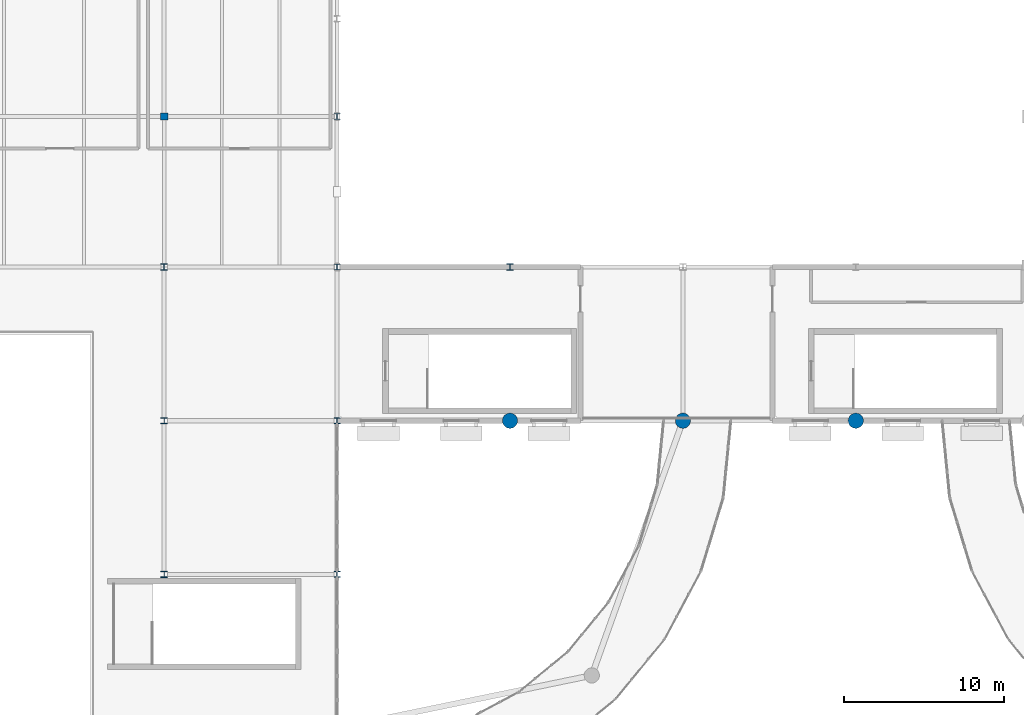
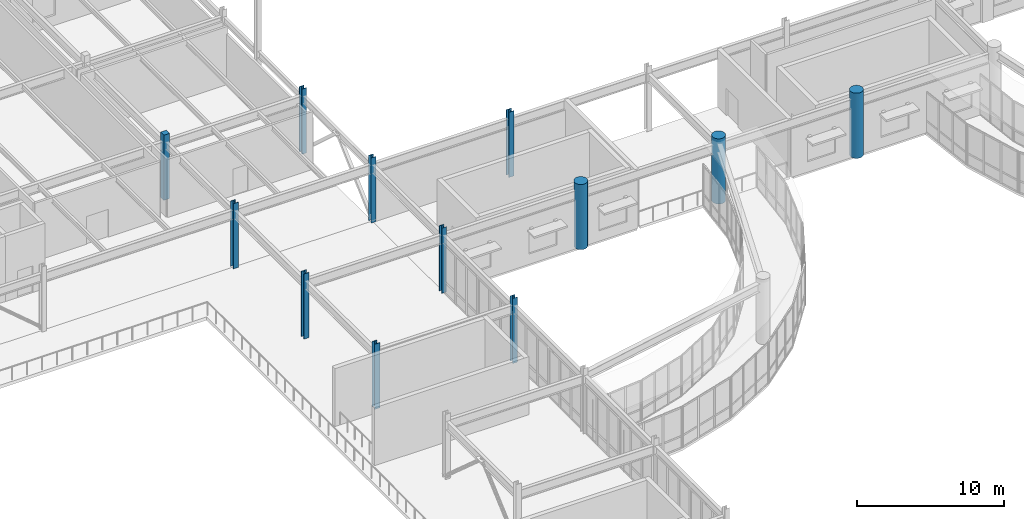
# One storey, part 6 of 68: 12 columns.
"""IFC4 building model written with IfcOpenShell, lengths in metres."""

from ifc_helpers import new_model, si_unit, direction, frame, origin, origin_2d, place, context, subcontext, project, spatial, rectangle, circle, i_section, extrude, material, material_profile, profile_set, type_object, element, save


model = new_model("IFC4")

# Units and contexts
model_context = context("Model", 3, precision=1e-05, world=origin(), true_north=direction((0.0, 1.0)))
body_context = subcontext(model_context, "Body", "Model", "MODEL_VIEW")
ifc_project = project(units=[si_unit("LENGTHUNIT", "METRE"), si_unit("AREAUNIT", "SQUARE_METRE"), si_unit("VOLUMEUNIT", "CUBIC_METRE"), si_unit("PLANEANGLEUNIT", "RADIAN"), si_unit("MASSUNIT", "GRAM", prefix="KILO")], contexts=[model_context])

# Site, building, storey
site_placement = place(None, origin())
site = spatial("IfcSite", under=ifc_project, at=site_placement, CompositionType="ELEMENT")
building_placement = place(site_placement, origin())
building = spatial("IfcBuilding", under=site, at=building_placement, Name="Veldera Park Congress Hotel", CompositionType="ELEMENT")
storey_placement = place(building_placement, frame((0.0, 0.0, 10.800048828125)))
storey = spatial("IfcBuildingStorey", under=building, at=storey_placement, Name="L02", CompositionType="ELEMENT", Elevation=10.800048828125)

# Columns
ifc_material_1 = material(Name="Glulam GL28h (NDS 24F-V4)", Category="wood")
ifc_material_profile_1 = material_profile(ifc_material_1, rectangle(XDim=0.449951171875, YDim=0.449951171875, at=origin_2d()), Name="GL28h 450x450")
ifc_profile_set_1 = profile_set([ifc_material_profile_1], Name="Glulam GL28h (NDS 24F-V4)")
column_type_1 = type_object("IfcColumnType", Name="COL-GL42E", PredefinedType="COLUMN", material=ifc_profile_set_1)
column_1_placement = place(storey_placement, frame((-12.39990234375, 36.39990234375, 0.0), z_axis=(0.0, 0.0, 1.0), x_axis=(1.0, 0.0, 0.0)))
element("IfcColumn", 1, at=column_1_placement, inside=storey, type_object=column_type_1, Name="L02 Column COL-GL42E (-12.4,36.4)", PredefinedType="COLUMN", context=body_context, shape_type="SweptSolid", body=[
    extrude(rectangle(XDim=0.449951171875, YDim=0.449951171875, at=origin_2d()), origin(), (0.0, 0.0, 1.0), 5.39990234375),
])
ifc_material_2 = material(Name="Concrete f'c 50 MPa (7,250 psi)", Category="concrete")
ifc_material_profile_2 = material_profile(ifc_material_2, circle(Radius=0.47509765625, at=origin_2d()), Name="RC D950")
ifc_profile_set_2 = profile_set([ifc_material_profile_2], Name="Concrete f'c 50 MPa (7,250 psi)")
column_type_2 = type_object("IfcColumnType", Name="COL-RCD90E", PredefinedType="COLUMN", material=ifc_profile_set_2)
for number, where, z_axis, x_axis, name in (
    (2, (9.199951171875, 17.39990234375, 0.0), (0.0, 0.0, 1.0), (1.0, 0.0, 0.0), "L02 Column COL-RCD90E (9.2,17.4)"),
    (3, (20.0, 17.39990234375, 0.0), (0.0, 0.0, 1.0), (1.0, 0.0, 0.0), "L02 Column COL-RCD90E (20.0,17.4)"),
    (4, (30.800048828125, 17.39990234375, 0.0), (0.0, 0.0, 1.0), (1.0, 0.0, 0.0), "L02 Column COL-RCD90E (30.8,17.4)"),
):
    element("IfcColumn", number, at=place(storey_placement, frame(where, z_axis=z_axis, x_axis=x_axis)), inside=storey, type_object=column_type_2, Name=name, PredefinedType="COLUMN", context=body_context, shape_type="SweptSolid", body=[
        extrude(circle(Radius=0.47509765625, at=origin_2d()), origin(), (0.0, 0.0, 1.0), 5.39990234375),
    ])
ifc_material_3 = material(Name="Steel ASTM A992 Gr.50", Category="steel")
ifc_material_profile_3 = material_profile(ifc_material_3, i_section(OverallWidth=0.373046875, OverallDepth=0.367919921875, WebThickness=0.014892578125, FlangeThickness=0.02392578125, at=origin_2d()), Name="W14X120")
ifc_profile_set_3 = profile_set([ifc_material_profile_3], Name="Steel ASTM A992 Gr.50")
column_type_3 = type_object("IfcColumnType", Name="COL-STL120", PredefinedType="COLUMN", material=ifc_profile_set_3)
for number, where, z_axis, x_axis, name in (
    (5, (-1.60009765625, 7.800048828125, 0.0), (0.0, 0.0, 1.0), (1.0, 0.0, 0.0), "L02 Column COL-STL120 (-1.6,7.8)"),
    (6, (-1.60009765625, 17.39990234375, 0.0), (0.0, 0.0, 1.0), (1.0, 0.0, 0.0), "L02 Column COL-STL120 (-1.6,17.4)"),
):
    element("IfcColumn", number, at=place(storey_placement, frame(where, z_axis=z_axis, x_axis=x_axis)), inside=storey, type_object=column_type_3, Name=name, PredefinedType="COLUMN", context=body_context, shape_type="SweptSolid", body=[
        extrude(i_section(OverallWidth=0.373046875, OverallDepth=0.367919921875, WebThickness=0.014892578125, FlangeThickness=0.02392578125, at=origin_2d()), origin(), (0.0, 0.0, 1.0), 5.39990234375),
    ])
ifc_material_profile_4 = material_profile(ifc_material_3, i_section(OverallWidth=0.373046875, OverallDepth=0.367919921875, WebThickness=0.014892578125, FlangeThickness=0.02392578125, at=origin_2d()), Name="W14X120")
ifc_profile_set_4 = profile_set([ifc_material_profile_4], Name="Steel ASTM A992 Gr.50")
column_type_4 = type_object("IfcColumnType", Name="COL-STL120E", PredefinedType="COLUMN", material=ifc_profile_set_4)
column_2_placement = place(storey_placement, frame((-1.60009765625, 27.0, 0.0), z_axis=(0.0, 0.0, 1.0), x_axis=(1.0, 0.0, 0.0)))
element("IfcColumn", 7, at=column_2_placement, inside=storey, type_object=column_type_4, Name="L02 Column COL-STL120E (-1.6,27.0)", PredefinedType="COLUMN", context=body_context, shape_type="SweptSolid", body=[
    extrude(i_section(OverallWidth=0.373046875, OverallDepth=0.367919921875, WebThickness=0.014892578125, FlangeThickness=0.02392578125, at=origin_2d()), origin(), (0.0, 0.0, 1.0), 5.39990234375),
])
ifc_material_profile_5 = material_profile(ifc_material_3, i_section(OverallWidth=0.3740234375, OverallDepth=0.3720703125, WebThickness=0.016357421875, FlangeThickness=0.026123046875, at=origin_2d()), Name="W14X132")
ifc_profile_set_5 = profile_set([ifc_material_profile_5], Name="Steel ASTM A992 Gr.50")
column_type_5 = type_object("IfcColumnType", Name="COL-STL132", PredefinedType="COLUMN", material=ifc_profile_set_5)
column_3_placement = place(storey_placement, frame((-1.60009765625, 36.39990234375, 0.0), z_axis=(0.0, 0.0, 1.0), x_axis=(1.0, 0.0, 0.0)))
element("IfcColumn", 8, at=column_3_placement, inside=storey, type_object=column_type_5, Name="L02 Column COL-STL132 (-1.6,36.4)", PredefinedType="COLUMN", context=body_context, shape_type="SweptSolid", body=[
    extrude(i_section(OverallWidth=0.3740234375, OverallDepth=0.3720703125, WebThickness=0.016357421875, FlangeThickness=0.026123046875, at=origin_2d()), origin(), (0.0, 0.0, 1.0), 5.39990234375),
])
ifc_material_profile_6 = material_profile(ifc_material_3, i_section(OverallWidth=0.39697265625, OverallDepth=0.386962890625, WebThickness=0.02099609375, FlangeThickness=0.033203125, at=origin_2d()), Name="W14X176")
ifc_profile_set_6 = profile_set([ifc_material_profile_6], Name="Steel ASTM A992 Gr.50")
column_type_6 = type_object("IfcColumnType", Name="COL-STL176", PredefinedType="COLUMN", material=ifc_profile_set_6)
for number, where, z_axis, x_axis, name in (
    (9, (-12.39990234375, 7.800048828125, 0.0), (0.0, 0.0, 1.0), (1.0, 0.0, 0.0), "L02 Column COL-STL176 (-12.4,7.8)"),
    (10, (-12.39990234375, 17.39990234375, 0.0), (0.0, 0.0, 1.0), (1.0, 0.0, 0.0), "L02 Column COL-STL176 (-12.4,17.4)"),
    (11, (9.199951171875, 27.0, 0.0), (0.0, 0.0, 1.0), (1.0, 0.0, 0.0), "L02 Column COL-STL176 (9.2,27.0)"),
):
    element("IfcColumn", number, at=place(storey_placement, frame(where, z_axis=z_axis, x_axis=x_axis)), inside=storey, type_object=column_type_6, Name=name, PredefinedType="COLUMN", context=body_context, shape_type="SweptSolid", body=[
        extrude(i_section(OverallWidth=0.39697265625, OverallDepth=0.386962890625, WebThickness=0.02099609375, FlangeThickness=0.033203125, at=origin_2d()), origin(), (0.0, 0.0, 1.0), 5.39990234375),
    ])
ifc_material_profile_7 = material_profile(ifc_material_3, i_section(OverallWidth=0.39892578125, OverallDepth=0.39306640625, WebThickness=0.022705078125, FlangeThickness=0.03662109375, at=origin_2d()), Name="W14X193")
ifc_profile_set_7 = profile_set([ifc_material_profile_7], Name="Steel ASTM A992 Gr.50")
column_type_7 = type_object("IfcColumnType", Name="COL-STL176E", PredefinedType="COLUMN", material=ifc_profile_set_7)
column_4_placement = place(storey_placement, frame((-12.39990234375, 27.0, 0.0), z_axis=(0.0, 0.0, 1.0), x_axis=(1.0, 0.0, 0.0)))
element("IfcColumn", 12, at=column_4_placement, inside=storey, type_object=column_type_7, Name="L02 Column COL-STL176E (-12.4,27.0)", PredefinedType="COLUMN", context=body_context, shape_type="SweptSolid", body=[
    extrude(i_section(OverallWidth=0.39892578125, OverallDepth=0.39306640625, WebThickness=0.022705078125, FlangeThickness=0.03662109375, at=origin_2d()), origin(), (0.0, 0.0, 1.0), 5.39990234375),
])

save(model, "model.ifc")
